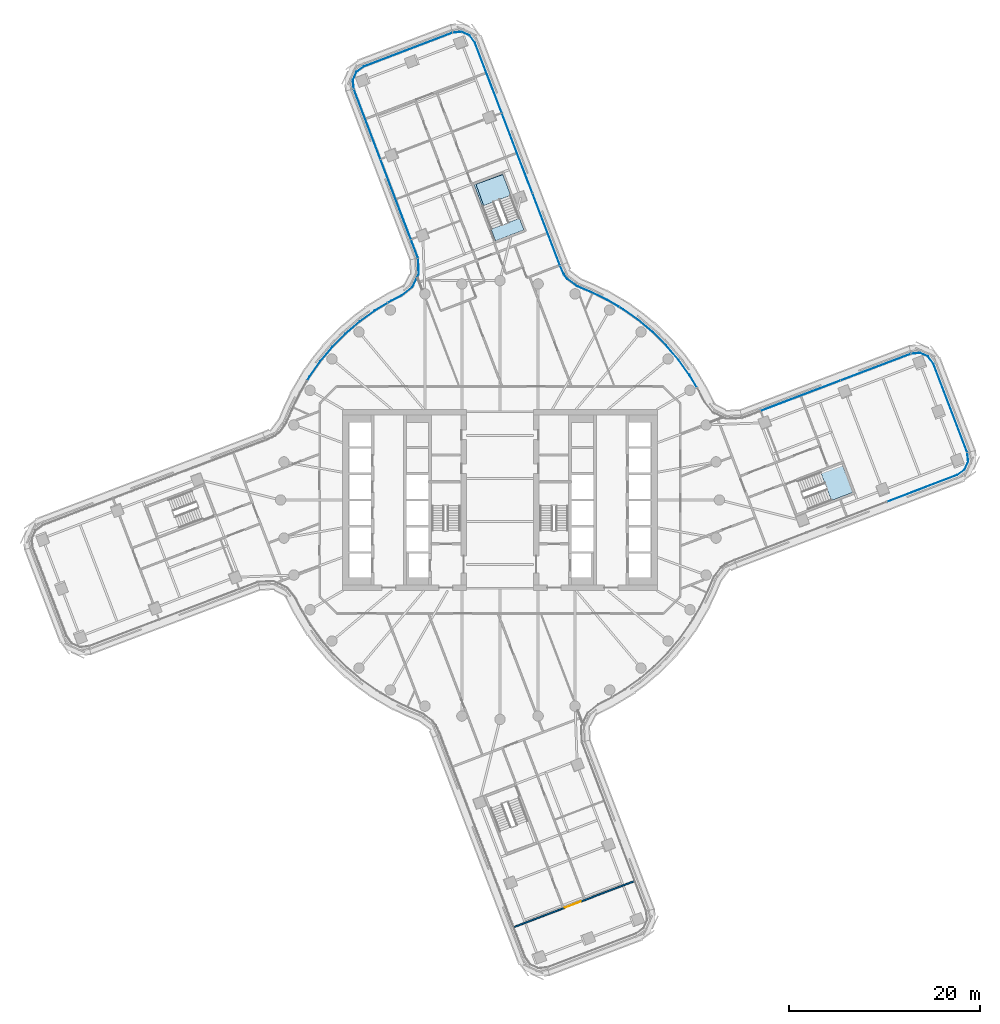
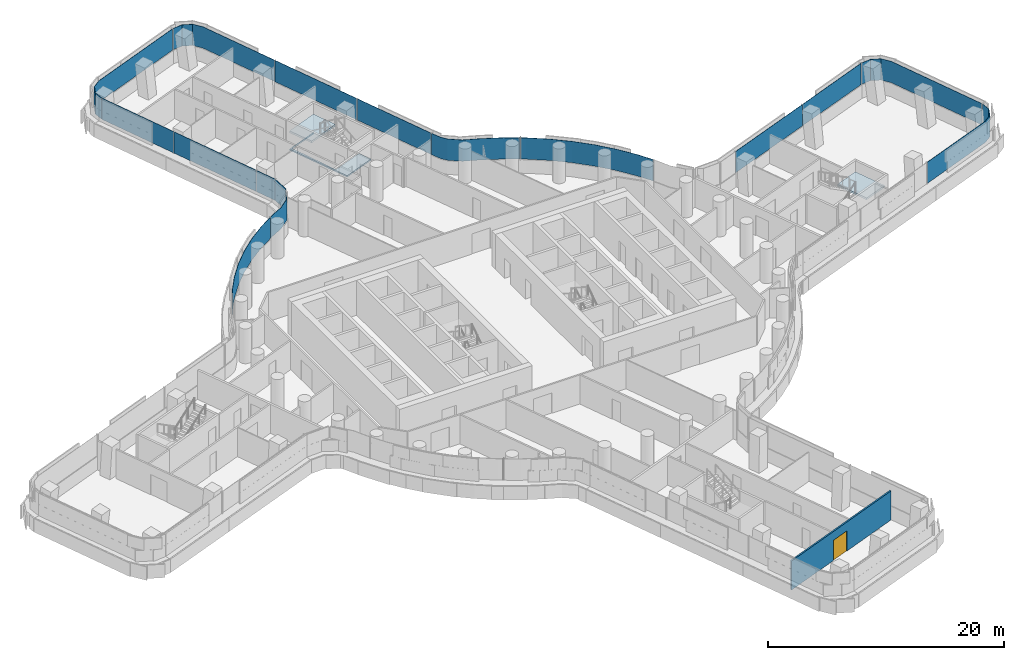
# One storey, part 19 of 32: 15 plates, 3 slabs, 1 door, 1 wall, 1 opening, 10 elements without a shape of their own.
"""IFC4 building model written with IfcOpenShell, lengths in metres."""

from ifc_helpers import new_model, si_unit, direction, frame, frame_2d, origin, place, context, subcontext, project, spatial, polyline, rectangle, outline, extrude, material, layer, layer_set, type_object, element, fill, aggregate, save


model = new_model("IFC4")

# Units and contexts
model_context = context("Model", 3, precision=1e-05, world=origin(), true_north=direction((0.0, 1.0)))
body_context = subcontext(model_context, "Body", "Model", "MODEL_VIEW")
ifc_project = project(units=[si_unit("LENGTHUNIT", "METRE"), si_unit("AREAUNIT", "SQUARE_METRE"), si_unit("VOLUMEUNIT", "CUBIC_METRE"), si_unit("PLANEANGLEUNIT", "RADIAN"), si_unit("MASSUNIT", "GRAM", prefix="KILO")], contexts=[model_context])

# Site, building, storey
site_placement = place(None, origin())
site = spatial("IfcSite", under=ifc_project, at=site_placement, CompositionType="ELEMENT")
building_placement = place(site_placement, origin())
building = spatial("IfcBuilding", under=site, at=building_placement, Name="Tamarind Cross Interchange Tower", CompositionType="ELEMENT")
storey_placement = place(building_placement, frame((0.0, 0.0, 109.75)))
storey = spatial("IfcBuildingStorey", under=building, at=storey_placement, Name="L26", CompositionType="ELEMENT", Elevation=109.75)

# Slab
ifc_material_1 = material(Name="Concrete C35", Category="concrete")
ifc_layer_1 = layer(ifc_material_1, 0.139892578125)
ifc_layer_set_1 = layer_set([ifc_layer_1], Name="Concrete C35")
slab_type_1 = type_object("IfcSlabType", Name="Composite slab 140 Concrete C35", PredefinedType="FLOOR", material=ifc_layer_set_1)
slab_1_placement = place(storey_placement, frame((0.0, 0.0, -0.139892578125)))
element("IfcSlab", 1, at=slab_1_placement, inside=storey, type_object=slab_type_1, Name="Floor slab L26", PredefinedType="FLOOR", context=body_context, shape_type="SweptSolid", body=[
    extrude(outline(polyline([(-0.475341796875, 27.17041015625), (2.51416015625, 28.311767578125), (2.046142578125, 29.53759765625), (-0.835693359375, 28.437255859375), (-2.5205078125, 33.10400390625), (0.29638671875, 34.120849609375), (0.26708984375, 34.197509765625), (-2.722412109375, 33.05615234375), (-0.475341796875, 27.17041015625)])), origin(), (0.0, 0.0, 1.0), 0.139892578125),
])

# Stair, slab
ifc_material_2 = material(Name="Exit stair")
stair_type = type_object("IfcStairType", Name="Exit stair", PredefinedType="HALF_TURN_STAIR", material=ifc_material_2)
stair_1_placement = place(storey_placement, origin())
stair_1 = element("IfcStair", 2, at=stair_1_placement, inside=storey, type_object=stair_type, Name="L26 exit stair ST3", PredefinedType="HALF_TURN_STAIR")
ifc_material_3 = material(Name="Concrete C40", Category="concrete")
ifc_layer_2 = layer(ifc_material_3, 0.199951171875)
ifc_layer_set_2 = layer_set([ifc_layer_2], Name="Concrete C40")
slab_type_2 = type_object("IfcSlabType", Name="Stair landing", PredefinedType="LANDING", material=ifc_layer_set_2)
slab_2_placement = place(storey_placement, frame((0.0, 0.0, 1.675048828125)))
slab_2 = element("IfcSlab", 3, at=slab_2_placement, type_object=slab_type_2, Name="ST3 landing 1", PredefinedType="LANDING", context=body_context, shape_type="SweptSolid", body=[
    extrude(outline(polyline([(34.746826171875, -0.057373046875), (37.000244140625, 0.802978515625), (35.85888671875, 3.79248046875), (33.60546875, 2.93212890625), (34.746826171875, -0.057373046875)])), origin(), (0.0, 0.0, 1.0), 0.199951171875),
])
aggregate(stair_1, [slab_2])

stair_2_placement = place(storey_placement, origin())
stair_2 = element("IfcStair", 4, at=stair_2_placement, inside=storey, type_object=stair_type, Name="L26 exit stair ST4", PredefinedType="HALF_TURN_STAIR")
slab_3_placement = place(storey_placement, frame((0.0, 0.0, 1.675048828125)))
slab_3 = element("IfcSlab", 5, at=slab_3_placement, type_object=slab_type_2, Name="ST4 landing 1", PredefinedType="LANDING", context=body_context, shape_type="SweptSolid", body=[
    extrude(outline(polyline([(1.12744140625, 31.944091796875), (0.26708984375, 34.197509765625), (-2.722412109375, 33.05615234375), (-1.8623046875, 30.802734375), (1.12744140625, 31.944091796875)])), origin(), (0.0, 0.0, 1.0), 0.199951171875),
])
aggregate(stair_2, [slab_3])

# Curtain wall, plate
ifc_material_4 = material(Name="Aluminium 6063-T6", Category="aluminium")
ifc_layer_3 = layer(ifc_material_4, 0.159912109375)
ifc_layer_set_3 = layer_set([ifc_layer_3], Name="Aluminium 6063-T6")
curtain_wall_type = type_object("IfcCurtainWallType", Name="Office curtain wall, 9.0 m bays", PredefinedType="NOTDEFINED", material=ifc_layer_set_3)
curtain_wall_1_placement = place(storey_placement, origin())
curtain_wall_1 = element("IfcCurtainWall", 6, at=curtain_wall_1_placement, inside=storey, type_object=curtain_wall_type, Name="CWS-L26-07", PredefinedType="NOTDEFINED")
ifc_material_5 = material(Name="Laminated low-e glass 8+1.52+8", Category="glass")
ifc_layer_4 = layer(ifc_material_5, 0.028076171875)
ifc_layer_set_4 = layer_set([ifc_layer_4], Name="Laminated low-e glass 8+1.52+8")
plate_type = type_object("IfcPlateType", Name="Vision panel CW1", PredefinedType="CURTAIN_PANEL", material=ifc_layer_set_4)
plate_1_placement = place(storey_placement, frame((0.0, 0.0, 1.39990234375)))
plate_1 = element("IfcPlate", 7, at=plate_1_placement, type_object=plate_type, Name="CWP-L26-07-02", PredefinedType="CURTAIN_PANEL", context=body_context, shape_type="SweptSolid", body=[
    extrude(outline(polyline([(40.59228515625, -0.16552734375), (47.928955078125, 2.635498046875), (48.698486328125, 3.1923828125), (49.074462890625, 4.03271484375), (48.979736328125, 4.949462890625), (49.007568359375, 4.952392578125), (49.10302734375, 4.028076171875), (48.720947265625, 3.174072265625), (47.9423828125, 2.610595703125), (40.602294921875, -0.191650390625), (40.59228515625, -0.16552734375)])), origin(), (0.0, 0.0, 1.0), 2.210205078125),
])
aggregate(curtain_wall_1, [plate_1])

curtain_wall_2_placement = place(storey_placement, origin())
curtain_wall_2 = element("IfcCurtainWall", 8, at=curtain_wall_2_placement, inside=storey, type_object=curtain_wall_type, Name="CWS-L26-08", PredefinedType="NOTDEFINED")
plate_2_placement = place(storey_placement, frame((0.0, 0.0, 1.39990234375)))
plate_2 = element("IfcPlate", 9, at=plate_2_placement, type_object=plate_type, Name="CWP-L26-08-00", PredefinedType="CURTAIN_PANEL", context=body_context, shape_type="SweptSolid", body=[
    extrude(outline(polyline([(48.966796875, 5.003662109375), (45.43017578125, 14.26708984375), (44.873291015625, 15.036376953125), (44.032958984375, 15.412353515625), (43.115966796875, 15.317626953125), (43.11328125, 15.345703125), (44.03759765625, 15.441162109375), (44.8916015625, 15.05908203125), (45.455078125, 14.280517578125), (48.992919921875, 5.013671875), (48.966796875, 5.003662109375)])), origin(), (0.0, 0.0, 1.0), 2.210205078125),
])
aggregate(curtain_wall_2, [plate_2])

# Curtain wall, plates
curtain_wall_3_placement = place(storey_placement, origin())
curtain_wall_3 = element("IfcCurtainWall", 10, at=curtain_wall_3_placement, inside=storey, type_object=curtain_wall_type, Name="CWS-L26-09", PredefinedType="NOTDEFINED")
plate_3_placement = place(storey_placement, frame((0.0, 0.0, 1.39990234375)))
plate_3 = element("IfcPlate", 11, at=plate_3_placement, type_object=plate_type, Name="CWP-L26-09-00", PredefinedType="CURTAIN_PANEL", context=body_context, shape_type="SweptSolid", body=[
    extrude(outline(polyline([(43.061767578125, 15.304931640625), (35.73828125, 12.522216796875), (35.728271484375, 12.54833984375), (43.0517578125, 15.3310546875), (43.061767578125, 15.304931640625)])), origin(), (0.0, 0.0, 1.0), 2.210205078125),
])
plate_4_placement = place(storey_placement, frame((0.0, 0.0, 1.39990234375)))
plate_4 = element("IfcPlate", 12, at=plate_4_placement, type_object=plate_type, Name="CWP-L26-09-01", PredefinedType="CURTAIN_PANEL", context=body_context, shape_type="SweptSolid", body=[
    extrude(outline(polyline([(35.68212890625, 12.5009765625), (27.322265625, 9.324462890625), (27.3125, 9.3505859375), (35.672119140625, 12.527099609375), (35.68212890625, 12.5009765625)])), origin(), (0.0, 0.0, 1.0), 2.210205078125),
])
aggregate(curtain_wall_3, [plate_3, plate_4])

curtain_wall_4_placement = place(storey_placement, origin())
curtain_wall_4 = element("IfcCurtainWall", 13, at=curtain_wall_4_placement, inside=storey, type_object=curtain_wall_type, Name="CWS-L26-10", PredefinedType="NOTDEFINED")
plate_5_placement = place(storey_placement, frame((0.0, 0.0, 1.39990234375)))
plate_5 = element("IfcPlate", 14, at=plate_5_placement, type_object=plate_type, Name="CWP-L26-10-01", PredefinedType="CURTAIN_PANEL", context=body_context, shape_type="SweptSolid", body=[
    extrude(outline(polyline([(20.64501953125, 11.77685546875), (19.85302734375, 13.093017578125), (18.7041015625, 14.687744140625), (17.42724609375, 16.18212890625), (16.031494140625, 17.56591796875), (14.526123046875, 18.829833984375), (12.921630859375, 19.965087890625), (12.518310546875, 20.203125), (12.532470703125, 20.227294921875), (12.936767578125, 19.988525390625), (14.543212890625, 18.85205078125), (16.05029296875, 17.586669921875), (17.44775390625, 16.201171875), (18.72607421875, 14.705078125), (19.87646484375, 13.1083984375), (20.6689453125, 11.791259765625), (20.64501953125, 11.77685546875)])), origin(), (0.0, 0.0, 1.0), 2.210205078125),
])
plate_6_placement = place(storey_placement, frame((0.0, 0.0, 1.39990234375)))
plate_6 = element("IfcPlate", 15, at=plate_6_placement, type_object=plate_type, Name="CWP-L26-10-02", PredefinedType="CURTAIN_PANEL", context=body_context, shape_type="SweptSolid", body=[
    extrude(outline(polyline([(12.466552734375, 20.233642578125), (11.228759765625, 20.9638671875), (9.456298828125, 21.821044921875), (8.061767578125, 22.405517578125), (7.05029296875, 23.168212890625), (6.695556640625, 23.634033203125), (6.29248046875, 24.548095703125), (6.318115234375, 24.559326171875), (6.7197265625, 23.6484375), (7.0703125, 23.188232421875), (8.075927734375, 22.429931640625), (9.468017578125, 21.846435546875), (11.241943359375, 20.98876953125), (12.480712890625, 20.2578125), (12.466552734375, 20.233642578125)])), origin(), (0.0, 0.0, 1.0), 2.210205078125),
])
aggregate(curtain_wall_4, [plate_5, plate_6])

curtain_wall_5_placement = place(storey_placement, origin())
curtain_wall_5 = element("IfcCurtainWall", 16, at=curtain_wall_5_placement, inside=storey, type_object=curtain_wall_type, Name="CWS-L26-11", PredefinedType="NOTDEFINED")
plate_7_placement = place(storey_placement, frame((0.0, 0.0, 1.39990234375)))
plate_7 = element("IfcPlate", 17, at=plate_7_placement, type_object=plate_type, Name="CWP-L26-11-00", PredefinedType="CURTAIN_PANEL", context=body_context, shape_type="SweptSolid", body=[
    extrude(outline(polyline([(6.26953125, 24.604248046875), (3.394287109375, 32.13525390625), (3.42041015625, 32.145263671875), (6.295654296875, 24.6142578125), (6.26953125, 24.604248046875)])), origin(), (0.0, 0.0, 1.0), 2.210205078125),
])
plate_8_placement = place(storey_placement, frame((0.0, 0.0, 1.39990234375)))
plate_8 = element("IfcPlate", 18, at=plate_8_placement, type_object=plate_type, Name="CWP-L26-11-01", PredefinedType="CURTAIN_PANEL", context=body_context, shape_type="SweptSolid", body=[
    extrude(outline(polyline([(3.372802734375, 32.19140625), (0.18701171875, 40.5361328125), (0.213134765625, 40.546142578125), (3.39892578125, 32.201416015625), (3.372802734375, 32.19140625)])), origin(), (0.0, 0.0, 1.0), 2.210205078125),
])
plate_9_placement = place(storey_placement, frame((0.0, 0.0, 1.39990234375)))
plate_9 = element("IfcPlate", 19, at=plate_9_placement, type_object=plate_type, Name="CWP-L26-11-02", PredefinedType="CURTAIN_PANEL", context=body_context, shape_type="SweptSolid", body=[
    extrude(outline(polyline([(0.16552734375, 40.59228515625), (-2.635498046875, 47.928955078125), (-3.1923828125, 48.698486328125), (-4.03271484375, 49.074462890625), (-4.949462890625, 48.979736328125), (-4.952392578125, 49.007568359375), (-4.028076171875, 49.10302734375), (-3.174072265625, 48.720947265625), (-2.610595703125, 47.9423828125), (0.191650390625, 40.602294921875), (0.16552734375, 40.59228515625)])), origin(), (0.0, 0.0, 1.0), 2.210205078125),
])
aggregate(curtain_wall_5, [plate_7, plate_8, plate_9])

# Curtain wall, plate
curtain_wall_6_placement = place(storey_placement, origin())
curtain_wall_6 = element("IfcCurtainWall", 20, at=curtain_wall_6_placement, inside=storey, type_object=curtain_wall_type, Name="CWS-L26-12", PredefinedType="NOTDEFINED")
plate_10_placement = place(storey_placement, frame((0.0, 0.0, 1.39990234375)))
plate_10 = element("IfcPlate", 21, at=plate_10_placement, type_object=plate_type, Name="CWP-L26-12-00", PredefinedType="CURTAIN_PANEL", context=body_context, shape_type="SweptSolid", body=[
    extrude(outline(polyline([(-5.003662109375, 48.966796875), (-14.26708984375, 45.43017578125), (-15.036376953125, 44.873291015625), (-15.412353515625, 44.032958984375), (-15.317626953125, 43.115966796875), (-15.345703125, 43.11328125), (-15.441162109375, 44.03759765625), (-15.05908203125, 44.8916015625), (-14.280517578125, 45.455078125), (-5.013671875, 48.992919921875), (-5.003662109375, 48.966796875)])), origin(), (0.0, 0.0, 1.0), 2.210205078125),
])
aggregate(curtain_wall_6, [plate_10])

# Curtain wall, plates
curtain_wall_7_placement = place(storey_placement, origin())
curtain_wall_7 = element("IfcCurtainWall", 22, at=curtain_wall_7_placement, inside=storey, type_object=curtain_wall_type, Name="CWS-L26-13", PredefinedType="NOTDEFINED")
plate_11_placement = place(storey_placement, frame((0.0, 0.0, 1.39990234375)))
plate_11 = element("IfcPlate", 23, at=plate_11_placement, type_object=plate_type, Name="CWP-L26-13-00", PredefinedType="CURTAIN_PANEL", context=body_context, shape_type="SweptSolid", body=[
    extrude(outline(polyline([(-15.304931640625, 43.061767578125), (-12.522216796875, 35.73828125), (-12.54833984375, 35.728271484375), (-15.3310546875, 43.0517578125), (-15.304931640625, 43.061767578125)])), origin(), (0.0, 0.0, 1.0), 2.210205078125),
])
plate_12_placement = place(storey_placement, frame((0.0, 0.0, 1.39990234375)))
plate_12 = element("IfcPlate", 24, at=plate_12_placement, type_object=plate_type, Name="CWP-L26-13-01", PredefinedType="CURTAIN_PANEL", context=body_context, shape_type="SweptSolid", body=[
    extrude(outline(polyline([(-12.5009765625, 35.68212890625), (-9.324462890625, 27.322265625), (-9.3505859375, 27.3125), (-12.527099609375, 35.672119140625), (-12.5009765625, 35.68212890625)])), origin(), (0.0, 0.0, 1.0), 2.210205078125),
])
plate_13_placement = place(storey_placement, frame((0.0, 0.0, 1.39990234375)))
plate_13 = element("IfcPlate", 25, at=plate_13_placement, type_object=plate_type, Name="CWP-L26-13-02", PredefinedType="CURTAIN_PANEL", context=body_context, shape_type="SweptSolid", body=[
    extrude(outline(polyline([(-9.30322265625, 27.266357421875), (-8.586181640625, 25.379150390625), (-8.6123046875, 25.369140625), (-9.329345703125, 27.25634765625), (-9.30322265625, 27.266357421875)])), origin(), (0.0, 0.0, 1.0), 2.210205078125),
])
aggregate(curtain_wall_7, [plate_11, plate_12, plate_13])

curtain_wall_8_placement = place(storey_placement, origin())
curtain_wall_8 = element("IfcCurtainWall", 26, at=curtain_wall_8_placement, inside=storey, type_object=curtain_wall_type, Name="CWS-L26-14", PredefinedType="NOTDEFINED")
plate_14_placement = place(storey_placement, frame((0.0, 0.0, 1.39990234375)))
plate_14 = element("IfcPlate", 27, at=plate_14_placement, type_object=plate_type, Name="CWP-L26-14-00", PredefinedType="CURTAIN_PANEL", context=body_context, shape_type="SweptSolid", body=[
    extrude(outline(polyline([(-8.5732421875, 25.316650390625), (-8.50390625, 23.696044921875), (-9.185302734375, 22.311767578125), (-10.281494140625, 21.42724609375), (-11.408447265625, 20.86669921875), (-11.7255859375, 20.676025390625), (-11.739990234375, 20.699951171875), (-11.422119140625, 20.891357421875), (-10.296630859375, 21.450927734375), (-9.207763671875, 22.32958984375), (-8.5322265625, 23.7021484375), (-8.601318359375, 25.3154296875), (-8.5732421875, 25.316650390625)])), origin(), (0.0, 0.0, 1.0), 2.210205078125),
])
plate_15_placement = place(storey_placement, frame((0.0, 0.0, 1.39990234375)))
plate_15 = element("IfcPlate", 28, at=plate_15_placement, type_object=plate_type, Name="CWP-L26-14-01", PredefinedType="CURTAIN_PANEL", context=body_context, shape_type="SweptSolid", body=[
    extrude(outline(polyline([(-11.77685546875, 20.64501953125), (-13.093017578125, 19.85302734375), (-14.687744140625, 18.7041015625), (-16.18212890625, 17.42724609375), (-17.56591796875, 16.031494140625), (-18.829833984375, 14.526123046875), (-19.965087890625, 12.921630859375), (-20.203125, 12.518310546875), (-20.227294921875, 12.532470703125), (-19.988525390625, 12.936767578125), (-18.85205078125, 14.543212890625), (-17.586669921875, 16.05029296875), (-16.201171875, 17.44775390625), (-14.705078125, 18.72607421875), (-13.1083984375, 19.87646484375), (-11.791259765625, 20.6689453125), (-11.77685546875, 20.64501953125)])), origin(), (0.0, 0.0, 1.0), 2.210205078125),
])
aggregate(curtain_wall_8, [plate_14, plate_15])

# Wall, opening, door
ifc_material_6 = material(Name="Gypsum board partition on steel studs", Category="steel")
ifc_layer_5 = layer(ifc_material_6, 0.14990234375)
ifc_layer_set_5 = layer_set([ifc_layer_5], Name="Gypsum board partition on steel studs")
wall_type = type_object("IfcWallType", Name="Partition 150 mm EI 120", PredefinedType="PARTITIONING", material=ifc_layer_set_5)
wall_placement = place(storey_placement, frame((1.51708984375, -44.755615234375, 0.0), z_axis=(0.0, 0.0, 1.0), x_axis=(0.934239353183, 0.356646647208, 0.0)))
wall = element("IfcWall", 29, at=wall_placement, inside=storey, type_object=wall_type, Name="Partition L26-062", PredefinedType="PARTITIONING", context=body_context, shape_type="SweptSolid", body=[
    extrude(rectangle(XDim=13.4033203125, YDim=0.14990234375, at=frame_2d((6.70166015625, 0.0))), origin(), (0.0, 0.0, 1.0), 3.010009765625),
])
opening_placement = place(wall_placement, frame((5.648681640625, 0.0, 0.0)))
opening = element("IfcOpeningElement", 30, at=opening_placement, cuts=wall, Name="Opening D36", PredefinedType="OPENING", context=body_context, shape_type="SweptSolid", body=[
    extrude(rectangle(XDim=1.800048828125, YDim=2.10009765625, at=frame_2d((0.89990234375, 1.050048828125))), frame((0.0, 0.0849609375, 0.0), z_axis=(0.0, -1.0, 0.0), x_axis=(1.0, 0.0, 0.0)), (0.0, 0.0, 1.0), 0.169921875),
])
ifc_material_7 = material(Name="Fire-resisting door set")
door_type = type_object("IfcDoorType", Name="Interior door 1800 x 2100 FD60S", OperationType="DOUBLE_DOOR_SINGLE_SWING", PredefinedType="DOOR", material=ifc_material_7)
door_placement = place(opening_placement, frame((1.800048828125, 0.0, 0.0), z_axis=(0.0, 0.0, 1.0), x_axis=(-1.0, 0.0, 0.0)))
door = element("IfcDoor", 31, at=door_placement, inside=storey, type_object=door_type, Name="Door D36", OperationType="DOUBLE_DOOR_SINGLE_SWING", OverallHeight=2.10009765625, OverallWidth=1.800048828125, PredefinedType="DOOR", context=body_context, shape_type="SweptSolid", body=[
    extrude(rectangle(XDim=1.800048828125, YDim=2.10009765625, at=frame_2d((0.89990234375, 1.050048828125))), frame((0.0, 0.02490234375, 0.0), z_axis=(0.0, -1.0, 0.0), x_axis=(1.0, 0.0, 0.0)), (0.0, 0.0, 1.0), 0.050048828125),
])
fill(opening, door)

save(model, "model.ifc")
